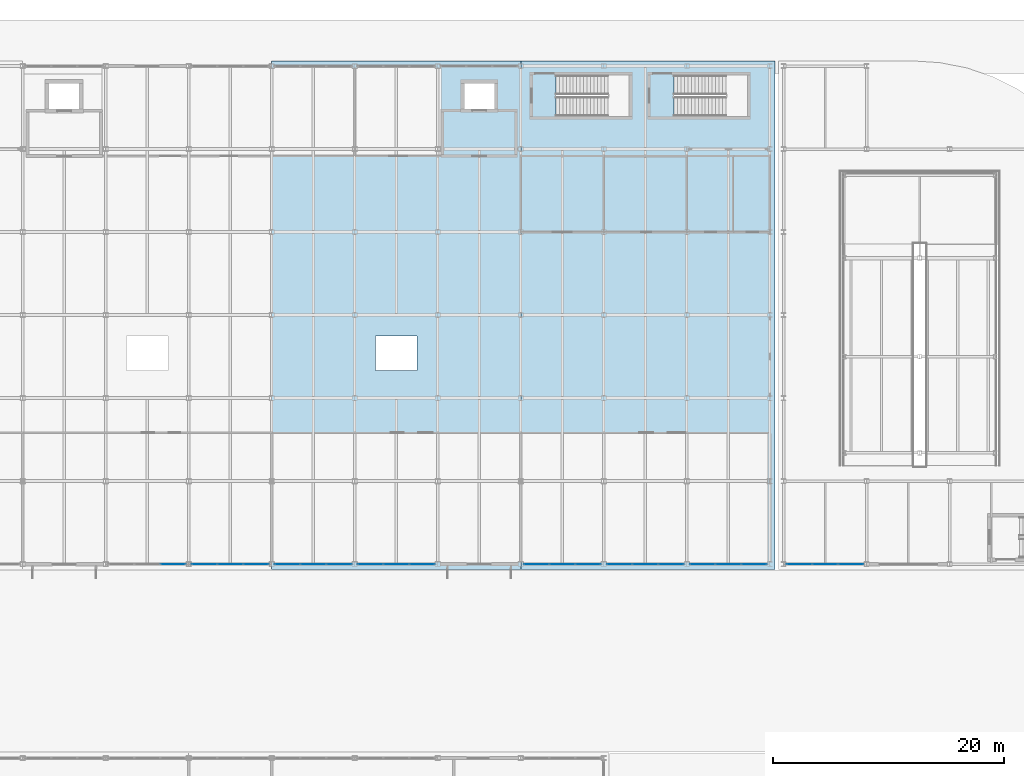
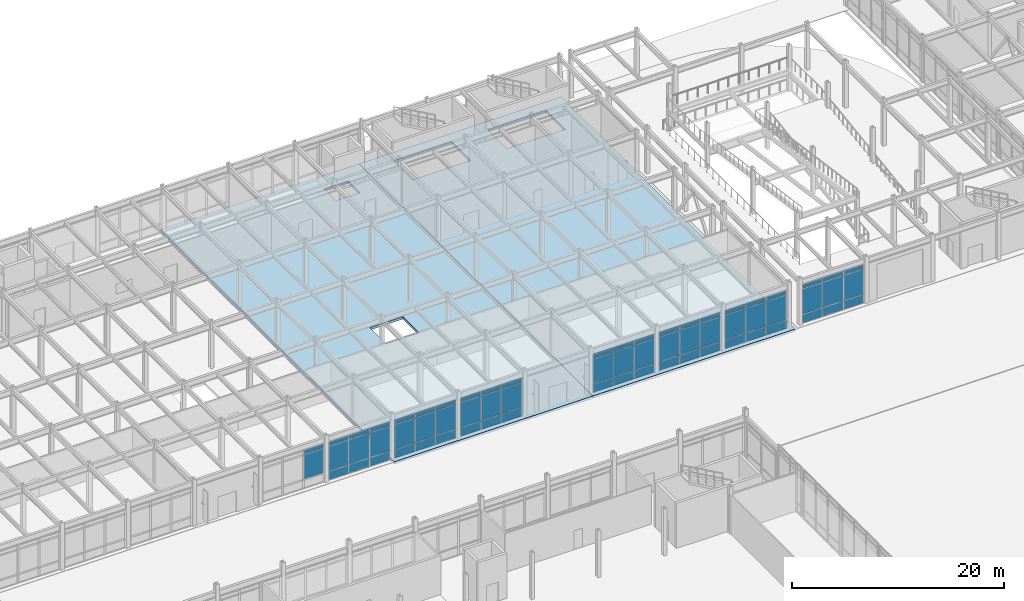
# One storey, part 62 of 104: 65 plates, 2 slabs, 8 elements without a shape of their own.
"""IFC4 building model written with IfcOpenShell, lengths in metres."""

import ifcopenshell
import ifcopenshell.guid

model = None  # the IFC model being written
_history = None  # IfcOwnerHistory: only IFC2X3 demands one
_inside = {}  # id of a spatial element -> (the spatial element, [elements in it])
_under = {}  # id of a project, library or spatial element -> (it, [spatial elements below it])
_declared = {}  # id of a project -> (the project, [libraries it declares])
_typed = {}  # id of a type object -> (the type object, [elements of that type])
_made_of = {}  # id of a material, layer set ... -> (it, [elements and type objects made of it])


def new_model(schema):
    """Start an empty IFC model of exactly this schema.

    Asked for "IFC4X3", IfcOpenShell would pick the latest addendum, in which some entities
    have other attributes; the version numbers below select the first issue.
    IFC2X3 requires an IfcOwnerHistory on every rooted entity: one is made here for all.
    """
    global model, _history
    if schema == "IFC4X3":
        model = ifcopenshell.file(schema_version=(4, 3, 0, 0))
    else:
        model = ifcopenshell.file(schema=schema)
    _inside.clear()
    _under.clear()
    _declared.clear()
    _typed.clear()
    _made_of.clear()
    _history = None
    if model.schema == "IFC2X3":
        org = make("IfcOrganization", Name="unknown")
        user = make(
            "IfcPersonAndOrganization",
            ThePerson=make("IfcPerson", FamilyName="unknown"),
            TheOrganization=org,
        )
        app = make(
            "IfcApplication",
            ApplicationDeveloper=org,
            Version="unknown",
            ApplicationFullName="unknown",
            ApplicationIdentifier="unknown",
        )
        _history = make(
            "IfcOwnerHistory",
            OwningUser=user,
            OwningApplication=app,
            ChangeAction="ADDED",
            CreationDate=0,
        )
    return model


def make(cls, **values):
    """One entity of the class cls with the attributes given. An attribute that is None is left unset."""
    return model.create_entity(
        cls, **{name: value for name, value in values.items() if value is not None}
    )


def rooted(cls, **values):
    """An entity with a GlobalId (a new one), such as an element, a storey or a relation."""
    return make(cls, GlobalId=ifcopenshell.guid.new(), OwnerHistory=_history, **values)


def si_unit(unit_type, name, prefix=None):
    """IfcSIUnit, for example si_unit("LENGTHUNIT", "METRE", prefix="MILLI")."""
    return make("IfcSIUnit", UnitType=unit_type, Prefix=prefix, Name=name)


def assignment(units):
    """IfcUnitAssignment: the units of a project."""
    return None if units is None else make("IfcUnitAssignment", Units=units)


def point(xyz):
    """IfcCartesianPoint."""
    return None if xyz is None else make("IfcCartesianPoint", Coordinates=xyz)


def direction(xyz):
    """IfcDirection."""
    return None if xyz is None else make("IfcDirection", DirectionRatios=xyz)


def frame(location, z_axis=None, x_axis=None):
    """IfcAxis2Placement3D, a coordinate frame: its origin and axes. An axis left out is left unset."""
    return make(
        "IfcAxis2Placement3D",
        Location=point(location),
        Axis=direction(z_axis),
        RefDirection=direction(x_axis),
    )


def frame_2d(location, x_axis=None):
    """IfcAxis2Placement2D, a coordinate frame in the plane: its origin and x axis."""
    return make(
        "IfcAxis2Placement2D", Location=point(location), RefDirection=direction(x_axis)
    )


def origin():
    """The frame at (0, 0, 0) with its axes left unset."""
    return frame((0.0, 0.0, 0.0))


def origin_2d():
    """The frame at (0, 0) in the plane with its x axis left unset."""
    return frame_2d((0.0, 0.0))


def place(relative_to, where):
    """IfcLocalPlacement: puts the frame where relative to a parent placement (None: the world)."""
    return make(
        "IfcLocalPlacement", PlacementRelTo=relative_to, RelativePlacement=where
    )


def context(
    kind, dimensions, precision=None, world=None, true_north=None, identifier=None
):
    """IfcGeometricRepresentationContext, for example the 3D "Model" context."""
    return make(
        "IfcGeometricRepresentationContext",
        ContextIdentifier=identifier,
        ContextType=kind,
        CoordinateSpaceDimension=dimensions,
        Precision=precision,
        WorldCoordinateSystem=world,
        TrueNorth=true_north,
    )


def subcontext(parent, identifier, kind, view, scale=None):
    """IfcGeometricRepresentationSubContext, for example "Body" below "Model"."""
    return make(
        "IfcGeometricRepresentationSubContext",
        ContextIdentifier=identifier,
        ContextType=kind,
        ParentContext=parent,
        TargetScale=scale,
        TargetView=view,
    )


def project(units=None, contexts=None):
    """IfcProject with its units and contexts."""
    return rooted(
        "IfcProject",
        Name="project",
        RepresentationContexts=contexts,
        UnitsInContext=assignment(units),
    )


def spatial(cls, under=None, at=None, **own):
    """A site, building, storey or space (cls), placed at a placement, below another one or the project."""
    s = rooted(cls, ObjectPlacement=at, **own)
    if under is not None:
        _under.setdefault(under.id(), (under, []))[1].append(s)
    return s


def polyline(points):
    """IfcPolyline through the points."""
    return make("IfcPolyline", Points=[point(p) for p in points])


def profile(cls, at=None, kind="AREA", **sizes):
    """A parametric profile (cls). Its sizes go by their IFC names, for example OverallWidth=200.0."""
    return make(cls, ProfileType=kind, Position=at, **sizes)


def rectangle(**sizes):
    """IfcRectangleProfileDef."""
    return profile("IfcRectangleProfileDef", **sizes)


def outline(outer, holes=None, kind="AREA"):
    """IfcArbitraryClosedProfileDef: a profile drawn as a closed curve; with holes, ...WithVoids."""
    if holes is None:
        return make("IfcArbitraryClosedProfileDef", ProfileType=kind, OuterCurve=outer)
    return make(
        "IfcArbitraryProfileDefWithVoids",
        ProfileType=kind,
        OuterCurve=outer,
        InnerCurves=holes,
    )


def extrude(swept, where, along, depth):
    """IfcExtrudedAreaSolid: the profile swept, set in the frame where, extruded along a direction by depth."""
    return make(
        "IfcExtrudedAreaSolid",
        SweptArea=swept,
        Position=where,
        ExtrudedDirection=direction(along),
        Depth=depth,
    )


def shape(context_of_items, identifier, shape_type, items):
    """IfcShapeRepresentation: the items that make up one representation, for example the "Body"."""
    return make(
        "IfcShapeRepresentation",
        ContextOfItems=context_of_items,
        RepresentationIdentifier=identifier,
        RepresentationType=shape_type,
        Items=items,
    )


def material(Name=None, Category=None):
    """IfcMaterial."""
    return make("IfcMaterial", Name=Name, Category=Category)


def layer(
    of_material, thickness, ventilated=None, Name=None, Category=None, Priority=None
):
    """IfcMaterialLayer: one layer of a wall or slab, of a material (None: an air gap)."""
    return make(
        "IfcMaterialLayer",
        Material=of_material,
        LayerThickness=thickness,
        IsVentilated=ventilated,
        Name=Name,
        Category=Category,
        Priority=Priority,
    )


def layer_set(layers, Name=None):
    """IfcMaterialLayerSet."""
    return make("IfcMaterialLayerSet", MaterialLayers=layers, LayerSetName=Name)


def made_of(thing, what):
    """Note that an element or type object is made of a material, layer set ...; save() writes the relation."""
    if what is not None:
        _made_of.setdefault(what.id(), (what, []))[1].append(thing)
    return thing


def type_object(cls, material=None, **own):
    """A type object (cls), such as IfcWallType, which elements share."""
    return made_of(rooted(cls, **own), material)


def element(
    cls,
    number,
    at=None,
    inside=None,
    cuts=None,
    type_object=None,
    material=None,
    context=None,
    identifier="Body",
    shape_type=None,
    held_by="IfcProductDefinitionShape",
    body=None,
    shapes=None,
    **own,
):
    """One element of the class cls, such as IfcWall. Its Tag is "e" and its number.

    at: its placement. inside: the storey or other place that contains it. cuts: it is an
    opening in that element (IfcRelVoidsElement). A single representation is given by context,
    identifier, shape_type and body (its items); several are given by shapes. held_by: the class
    of the entity that holds the representations. save() writes the other relations.
    """
    e = rooted(cls, Tag="e%d" % number, ObjectPlacement=at, **own)
    if body is not None:
        shapes = [shape(context, identifier, shape_type, body)]
    if shapes is not None:
        e.Representation = make(held_by, Representations=shapes)
    if inside is not None:
        _inside.setdefault(inside.id(), (inside, []))[1].append(e)
    if cuts is not None:
        rooted(
            "IfcRelVoidsElement", RelatingBuildingElement=cuts, RelatedOpeningElement=e
        )
    if type_object is not None:
        _typed.setdefault(type_object.id(), (type_object, []))[1].append(e)
    return made_of(e, material)


def aggregate(whole, parts):
    """IfcRelAggregates: a whole, such as a stair, and the parts it consists of."""
    return rooted("IfcRelAggregates", RelatingObject=whole, RelatedObjects=parts)


def save(model, path):
    """Write the relations noted so far, then the file.

    IfcRelAggregates (storeys below a building ...), IfcRelContainedInSpatialStructure (elements
    in a storey), IfcRelDefinesByType, IfcRelAssociatesMaterial and IfcRelDeclares: one each for
    every whole, place, type object, material and project.
    """
    for whole, parts in _under.values():
        aggregate(whole, parts)
    for where, things in _inside.values():
        rooted(
            "IfcRelContainedInSpatialStructure",
            RelatedElements=things,
            RelatingStructure=where,
        )
    for kind, things in _typed.values():
        rooted("IfcRelDefinesByType", RelatedObjects=things, RelatingType=kind)
    for what, things in _made_of.values():
        rooted("IfcRelAssociatesMaterial", RelatedObjects=things, RelatingMaterial=what)
    for by, libraries in _declared.values():
        rooted("IfcRelDeclares", RelatingContext=by, RelatedDefinitions=libraries)
    model.write(path)


model = new_model("IFC4")

# Units and contexts
model_context = context("Model", 3, precision=1e-05, world=origin(), true_north=direction((0.0, 1.0)))
body_context = subcontext(model_context, "Body", "Model", "MODEL_VIEW")
ifc_project = project(units=[si_unit("LENGTHUNIT", "METRE"), si_unit("AREAUNIT", "SQUARE_METRE"), si_unit("VOLUMEUNIT", "CUBIC_METRE"), si_unit("PLANEANGLEUNIT", "RADIAN"), si_unit("MASSUNIT", "GRAM", prefix="KILO")], contexts=[model_context])

# Site, building, storey
site_placement = place(None, origin())
site = spatial("IfcSite", under=ifc_project, at=site_placement, CompositionType="ELEMENT")
building_placement = place(site_placement, origin())
building = spatial("IfcBuilding", under=site, at=building_placement, Name="Vaelcorin Mobility Hub", CompositionType="ELEMENT")
storey_placement = place(building_placement, origin())
storey = spatial("IfcBuildingStorey", under=building, at=storey_placement, Name="L00", CompositionType="ELEMENT", Elevation=0.0)

# Curtain wall, plates
ifc_material_1 = material(Name="Anodised aluminium 6063-T6", Category="aluminium")
curtain_wall_type = type_object("IfcCurtainWallType", Name="CW-MSC-A", PredefinedType="NOTDEFINED", material=ifc_material_1)
curtain_wall_1_placement = place(storey_placement, origin())
curtain_wall_1 = element("IfcCurtainWall", 1, at=curtain_wall_1_placement, inside=storey, type_object=curtain_wall_type, Name="L00 Curtain Wall CW-V4-L00-S-05", PredefinedType="NOTDEFINED")
ifc_material_2 = material(Name="Low-E solar-control insulated glazing", Category="glass")
ifc_layer_1 = layer(ifc_material_2, 0.031982421875)
ifc_layer_set_1 = layer_set([ifc_layer_1], Name="Low-E solar-control insulated glazing")
plate_type = type_object("IfcPlateType", Name="CW-PAN-GLZ32", PredefinedType="CURTAIN_PANEL", material=ifc_layer_set_1)
plate_1_placement = place(storey_placement, frame((70.638427734375, 76.800048828125, 1.080078125), z_axis=(0.0, 0.0, 1.0), x_axis=(-1.0, 0.0, 0.0)))
plate_1 = element("IfcPlate", 2, at=plate_1_placement, type_object=plate_type, Name="CW3 panel 1.2", PredefinedType="CURTAIN_PANEL", context=body_context, shape_type="SweptSolid", body=[
    extrude(rectangle(XDim=2.163330078125, YDim=0.028076171875, at=origin_2d()), origin(), (0.0, 0.0, 1.0), 2.802001953125),
])
plate_2_placement = place(storey_placement, frame((70.638427734375, 76.800048828125, 3.942138671875), z_axis=(0.0, 0.0, 1.0), x_axis=(-1.0, 0.0, 0.0)))
plate_2 = element("IfcPlate", 3, at=plate_2_placement, type_object=plate_type, Name="CW3 panel 1.3", PredefinedType="CURTAIN_PANEL", context=body_context, shape_type="SweptSolid", body=[
    extrude(rectangle(XDim=2.163330078125, YDim=0.028076171875, at=origin_2d()), origin(), (0.0, 0.0, 1.0), 0.4599609375),
])
aggregate(curtain_wall_1, [plate_1, plate_2])

curtain_wall_2_placement = place(storey_placement, origin())
curtain_wall_2 = element("IfcCurtainWall", 4, at=curtain_wall_2_placement, inside=storey, type_object=curtain_wall_type, Name="L00 Curtain Wall CW-V4-L00-S-06", PredefinedType="NOTDEFINED")
plate_3_placement = place(storey_placement, frame((77.83837890625, 76.800048828125, 0.06005859375), z_axis=(0.0, 0.0, 1.0), x_axis=(-1.0, 0.0, 0.0)))
plate_3 = element("IfcPlate", 5, at=plate_3_placement, type_object=plate_type, Name="CW3 panel 1.1", PredefinedType="CURTAIN_PANEL", context=body_context, shape_type="SweptSolid", body=[
    extrude(rectangle(XDim=2.163330078125, YDim=0.028076171875, at=origin_2d()), origin(), (0.0, 0.0, 1.0), 0.9599609375),
])
plate_4_placement = place(storey_placement, frame((77.83837890625, 76.800048828125, 1.080078125), z_axis=(0.0, 0.0, 1.0), x_axis=(-1.0, 0.0, 0.0)))
plate_4 = element("IfcPlate", 6, at=plate_4_placement, type_object=plate_type, Name="CW3 panel 1.2", PredefinedType="CURTAIN_PANEL", context=body_context, shape_type="SweptSolid", body=[
    extrude(rectangle(XDim=2.163330078125, YDim=0.028076171875, at=origin_2d()), origin(), (0.0, 0.0, 1.0), 2.802001953125),
])
plate_5_placement = place(storey_placement, frame((77.83837890625, 76.800048828125, 3.942138671875), z_axis=(0.0, 0.0, 1.0), x_axis=(-1.0, 0.0, 0.0)))
plate_5 = element("IfcPlate", 7, at=plate_5_placement, type_object=plate_type, Name="CW3 panel 1.3", PredefinedType="CURTAIN_PANEL", context=body_context, shape_type="SweptSolid", body=[
    extrude(rectangle(XDim=2.163330078125, YDim=0.028076171875, at=origin_2d()), origin(), (0.0, 0.0, 1.0), 0.4599609375),
])
plate_6_placement = place(storey_placement, frame((75.60009765625, 76.800048828125, 0.06005859375), z_axis=(0.0, 0.0, 1.0), x_axis=(-1.0, 0.0, 0.0)))
plate_6 = element("IfcPlate", 8, at=plate_6_placement, type_object=plate_type, Name="CW3 panel 2.1", PredefinedType="CURTAIN_PANEL", context=body_context, shape_type="SweptSolid", body=[
    extrude(rectangle(XDim=2.193359375, YDim=0.028076171875, at=origin_2d()), origin(), (0.0, 0.0, 1.0), 0.9599609375),
])
plate_7_placement = place(storey_placement, frame((75.60009765625, 76.800048828125, 1.080078125), z_axis=(0.0, 0.0, 1.0), x_axis=(-1.0, 0.0, 0.0)))
plate_7 = element("IfcPlate", 9, at=plate_7_placement, type_object=plate_type, Name="CW3 panel 2.2", PredefinedType="CURTAIN_PANEL", context=body_context, shape_type="SweptSolid", body=[
    extrude(rectangle(XDim=2.193359375, YDim=0.028076171875, at=origin_2d()), origin(), (0.0, 0.0, 1.0), 2.802001953125),
])
plate_8_placement = place(storey_placement, frame((75.60009765625, 76.800048828125, 3.942138671875), z_axis=(0.0, 0.0, 1.0), x_axis=(-1.0, 0.0, 0.0)))
plate_8 = element("IfcPlate", 10, at=plate_8_placement, type_object=plate_type, Name="CW3 panel 2.3", PredefinedType="CURTAIN_PANEL", context=body_context, shape_type="SweptSolid", body=[
    extrude(rectangle(XDim=2.193359375, YDim=0.028076171875, at=origin_2d()), origin(), (0.0, 0.0, 1.0), 0.4599609375),
])
plate_9_placement = place(storey_placement, frame((73.361572265625, 76.800048828125, 0.06005859375), z_axis=(0.0, 0.0, 1.0), x_axis=(-1.0, 0.0, 0.0)))
plate_9 = element("IfcPlate", 11, at=plate_9_placement, type_object=plate_type, Name="CW3 panel 3.1", PredefinedType="CURTAIN_PANEL", context=body_context, shape_type="SweptSolid", body=[
    extrude(rectangle(XDim=2.163330078125, YDim=0.028076171875, at=origin_2d()), origin(), (0.0, 0.0, 1.0), 0.9599609375),
])
plate_10_placement = place(storey_placement, frame((73.361572265625, 76.800048828125, 1.080078125), z_axis=(0.0, 0.0, 1.0), x_axis=(-1.0, 0.0, 0.0)))
plate_10 = element("IfcPlate", 12, at=plate_10_placement, type_object=plate_type, Name="CW3 panel 3.2", PredefinedType="CURTAIN_PANEL", context=body_context, shape_type="SweptSolid", body=[
    extrude(rectangle(XDim=2.163330078125, YDim=0.028076171875, at=origin_2d()), origin(), (0.0, 0.0, 1.0), 2.802001953125),
])
plate_11_placement = place(storey_placement, frame((73.361572265625, 76.800048828125, 3.942138671875), z_axis=(0.0, 0.0, 1.0), x_axis=(-1.0, 0.0, 0.0)))
plate_11 = element("IfcPlate", 13, at=plate_11_placement, type_object=plate_type, Name="CW3 panel 3.3", PredefinedType="CURTAIN_PANEL", context=body_context, shape_type="SweptSolid", body=[
    extrude(rectangle(XDim=2.163330078125, YDim=0.028076171875, at=origin_2d()), origin(), (0.0, 0.0, 1.0), 0.4599609375),
])
aggregate(curtain_wall_2, [plate_3, plate_4, plate_5, plate_6, plate_7, plate_8, plate_9, plate_10, plate_11])

curtain_wall_3_placement = place(storey_placement, origin())
curtain_wall_3 = element("IfcCurtainWall", 14, at=curtain_wall_3_placement, inside=storey, type_object=curtain_wall_type, Name="L00 Curtain Wall CW-V4-L00-S-07", PredefinedType="NOTDEFINED")
plate_12_placement = place(storey_placement, frame((85.038330078125, 76.800048828125, 0.06005859375), z_axis=(0.0, 0.0, 1.0), x_axis=(-1.0, 0.0, 0.0)))
plate_12 = element("IfcPlate", 15, at=plate_12_placement, type_object=plate_type, Name="CW3 panel 1.1", PredefinedType="CURTAIN_PANEL", context=body_context, shape_type="SweptSolid", body=[
    extrude(rectangle(XDim=2.163330078125, YDim=0.028076171875, at=origin_2d()), origin(), (0.0, 0.0, 1.0), 0.9599609375),
])
plate_13_placement = place(storey_placement, frame((85.038330078125, 76.800048828125, 1.080078125), z_axis=(0.0, 0.0, 1.0), x_axis=(-1.0, 0.0, 0.0)))
plate_13 = element("IfcPlate", 16, at=plate_13_placement, type_object=plate_type, Name="CW3 panel 1.2", PredefinedType="CURTAIN_PANEL", context=body_context, shape_type="SweptSolid", body=[
    extrude(rectangle(XDim=2.163330078125, YDim=0.028076171875, at=origin_2d()), origin(), (0.0, 0.0, 1.0), 2.802001953125),
])
plate_14_placement = place(storey_placement, frame((85.038330078125, 76.800048828125, 3.942138671875), z_axis=(0.0, 0.0, 1.0), x_axis=(-1.0, 0.0, 0.0)))
plate_14 = element("IfcPlate", 17, at=plate_14_placement, type_object=plate_type, Name="CW3 panel 1.3", PredefinedType="CURTAIN_PANEL", context=body_context, shape_type="SweptSolid", body=[
    extrude(rectangle(XDim=2.163330078125, YDim=0.028076171875, at=origin_2d()), origin(), (0.0, 0.0, 1.0), 0.4599609375),
])
plate_15_placement = place(storey_placement, frame((82.800048828125, 76.800048828125, 0.06005859375), z_axis=(0.0, 0.0, 1.0), x_axis=(-1.0, 0.0, 0.0)))
plate_15 = element("IfcPlate", 18, at=plate_15_placement, type_object=plate_type, Name="CW3 panel 2.1", PredefinedType="CURTAIN_PANEL", context=body_context, shape_type="SweptSolid", body=[
    extrude(rectangle(XDim=2.193359375, YDim=0.028076171875, at=origin_2d()), origin(), (0.0, 0.0, 1.0), 0.9599609375),
])
plate_16_placement = place(storey_placement, frame((82.800048828125, 76.800048828125, 1.080078125), z_axis=(0.0, 0.0, 1.0), x_axis=(-1.0, 0.0, 0.0)))
plate_16 = element("IfcPlate", 19, at=plate_16_placement, type_object=plate_type, Name="CW3 panel 2.2", PredefinedType="CURTAIN_PANEL", context=body_context, shape_type="SweptSolid", body=[
    extrude(rectangle(XDim=2.193359375, YDim=0.028076171875, at=origin_2d()), origin(), (0.0, 0.0, 1.0), 2.802001953125),
])
plate_17_placement = place(storey_placement, frame((82.800048828125, 76.800048828125, 3.942138671875), z_axis=(0.0, 0.0, 1.0), x_axis=(-1.0, 0.0, 0.0)))
plate_17 = element("IfcPlate", 20, at=plate_17_placement, type_object=plate_type, Name="CW3 panel 2.3", PredefinedType="CURTAIN_PANEL", context=body_context, shape_type="SweptSolid", body=[
    extrude(rectangle(XDim=2.193359375, YDim=0.028076171875, at=origin_2d()), origin(), (0.0, 0.0, 1.0), 0.4599609375),
])
plate_18_placement = place(storey_placement, frame((80.561767578125, 76.800048828125, 0.06005859375), z_axis=(0.0, 0.0, 1.0), x_axis=(-1.0, 0.0, 0.0)))
plate_18 = element("IfcPlate", 21, at=plate_18_placement, type_object=plate_type, Name="CW3 panel 3.1", PredefinedType="CURTAIN_PANEL", context=body_context, shape_type="SweptSolid", body=[
    extrude(rectangle(XDim=2.163330078125, YDim=0.028076171875, at=origin_2d()), origin(), (0.0, 0.0, 1.0), 0.9599609375),
])
plate_19_placement = place(storey_placement, frame((80.561767578125, 76.800048828125, 1.080078125), z_axis=(0.0, 0.0, 1.0), x_axis=(-1.0, 0.0, 0.0)))
plate_19 = element("IfcPlate", 22, at=plate_19_placement, type_object=plate_type, Name="CW3 panel 3.2", PredefinedType="CURTAIN_PANEL", context=body_context, shape_type="SweptSolid", body=[
    extrude(rectangle(XDim=2.163330078125, YDim=0.028076171875, at=origin_2d()), origin(), (0.0, 0.0, 1.0), 2.802001953125),
])
plate_20_placement = place(storey_placement, frame((80.561767578125, 76.800048828125, 3.942138671875), z_axis=(0.0, 0.0, 1.0), x_axis=(-1.0, 0.0, 0.0)))
plate_20 = element("IfcPlate", 23, at=plate_20_placement, type_object=plate_type, Name="CW3 panel 3.3", PredefinedType="CURTAIN_PANEL", context=body_context, shape_type="SweptSolid", body=[
    extrude(rectangle(XDim=2.163330078125, YDim=0.028076171875, at=origin_2d()), origin(), (0.0, 0.0, 1.0), 0.4599609375),
])
aggregate(curtain_wall_3, [plate_12, plate_13, plate_14, plate_15, plate_16, plate_17, plate_18, plate_19, plate_20])

curtain_wall_4_placement = place(storey_placement, origin())
curtain_wall_4 = element("IfcCurtainWall", 24, at=curtain_wall_4_placement, inside=storey, type_object=curtain_wall_type, Name="L00 Curtain Wall CW-V4-L00-S-08", PredefinedType="NOTDEFINED")
plate_21_placement = place(storey_placement, frame((92.23828125, 76.800048828125, 0.06005859375), z_axis=(0.0, 0.0, 1.0), x_axis=(-1.0, 0.0, 0.0)))
plate_21 = element("IfcPlate", 25, at=plate_21_placement, type_object=plate_type, Name="CW3 panel 1.1", PredefinedType="CURTAIN_PANEL", context=body_context, shape_type="SweptSolid", body=[
    extrude(rectangle(XDim=2.163330078125, YDim=0.028076171875, at=origin_2d()), origin(), (0.0, 0.0, 1.0), 0.9599609375),
])
plate_22_placement = place(storey_placement, frame((92.23828125, 76.800048828125, 1.080078125), z_axis=(0.0, 0.0, 1.0), x_axis=(-1.0, 0.0, 0.0)))
plate_22 = element("IfcPlate", 26, at=plate_22_placement, type_object=plate_type, Name="CW3 panel 1.2", PredefinedType="CURTAIN_PANEL", context=body_context, shape_type="SweptSolid", body=[
    extrude(rectangle(XDim=2.163330078125, YDim=0.028076171875, at=origin_2d()), origin(), (0.0, 0.0, 1.0), 2.802001953125),
])
plate_23_placement = place(storey_placement, frame((92.23828125, 76.800048828125, 3.942138671875), z_axis=(0.0, 0.0, 1.0), x_axis=(-1.0, 0.0, 0.0)))
plate_23 = element("IfcPlate", 27, at=plate_23_placement, type_object=plate_type, Name="CW3 panel 1.3", PredefinedType="CURTAIN_PANEL", context=body_context, shape_type="SweptSolid", body=[
    extrude(rectangle(XDim=2.163330078125, YDim=0.028076171875, at=origin_2d()), origin(), (0.0, 0.0, 1.0), 0.4599609375),
])
plate_24_placement = place(storey_placement, frame((90.0, 76.800048828125, 0.06005859375), z_axis=(0.0, 0.0, 1.0), x_axis=(-1.0, 0.0, 0.0)))
plate_24 = element("IfcPlate", 28, at=plate_24_placement, type_object=plate_type, Name="CW3 panel 2.1", PredefinedType="CURTAIN_PANEL", context=body_context, shape_type="SweptSolid", body=[
    extrude(rectangle(XDim=2.193359375, YDim=0.028076171875, at=origin_2d()), origin(), (0.0, 0.0, 1.0), 0.9599609375),
])
plate_25_placement = place(storey_placement, frame((90.0, 76.800048828125, 1.080078125), z_axis=(0.0, 0.0, 1.0), x_axis=(-1.0, 0.0, 0.0)))
plate_25 = element("IfcPlate", 29, at=plate_25_placement, type_object=plate_type, Name="CW3 panel 2.2", PredefinedType="CURTAIN_PANEL", context=body_context, shape_type="SweptSolid", body=[
    extrude(rectangle(XDim=2.193359375, YDim=0.028076171875, at=origin_2d()), origin(), (0.0, 0.0, 1.0), 2.802001953125),
])
plate_26_placement = place(storey_placement, frame((90.0, 76.800048828125, 3.942138671875), z_axis=(0.0, 0.0, 1.0), x_axis=(-1.0, 0.0, 0.0)))
plate_26 = element("IfcPlate", 30, at=plate_26_placement, type_object=plate_type, Name="CW3 panel 2.3", PredefinedType="CURTAIN_PANEL", context=body_context, shape_type="SweptSolid", body=[
    extrude(rectangle(XDim=2.193359375, YDim=0.028076171875, at=origin_2d()), origin(), (0.0, 0.0, 1.0), 0.4599609375),
])
plate_27_placement = place(storey_placement, frame((87.76171875, 76.800048828125, 0.06005859375), z_axis=(0.0, 0.0, 1.0), x_axis=(-1.0, 0.0, 0.0)))
plate_27 = element("IfcPlate", 31, at=plate_27_placement, type_object=plate_type, Name="CW3 panel 3.1", PredefinedType="CURTAIN_PANEL", context=body_context, shape_type="SweptSolid", body=[
    extrude(rectangle(XDim=2.163330078125, YDim=0.028076171875, at=origin_2d()), origin(), (0.0, 0.0, 1.0), 0.9599609375),
])
plate_28_placement = place(storey_placement, frame((87.76171875, 76.800048828125, 1.080078125), z_axis=(0.0, 0.0, 1.0), x_axis=(-1.0, 0.0, 0.0)))
plate_28 = element("IfcPlate", 32, at=plate_28_placement, type_object=plate_type, Name="CW3 panel 3.2", PredefinedType="CURTAIN_PANEL", context=body_context, shape_type="SweptSolid", body=[
    extrude(rectangle(XDim=2.163330078125, YDim=0.028076171875, at=origin_2d()), origin(), (0.0, 0.0, 1.0), 2.802001953125),
])
plate_29_placement = place(storey_placement, frame((87.76171875, 76.800048828125, 3.942138671875), z_axis=(0.0, 0.0, 1.0), x_axis=(-1.0, 0.0, 0.0)))
plate_29 = element("IfcPlate", 33, at=plate_29_placement, type_object=plate_type, Name="CW3 panel 3.3", PredefinedType="CURTAIN_PANEL", context=body_context, shape_type="SweptSolid", body=[
    extrude(rectangle(XDim=2.163330078125, YDim=0.028076171875, at=origin_2d()), origin(), (0.0, 0.0, 1.0), 0.4599609375),
])
aggregate(curtain_wall_4, [plate_21, plate_22, plate_23, plate_24, plate_25, plate_26, plate_27, plate_28, plate_29])

curtain_wall_5_placement = place(storey_placement, origin())
curtain_wall_5 = element("IfcCurtainWall", 34, at=curtain_wall_5_placement, inside=storey, type_object=curtain_wall_type, Name="L00 Curtain Wall CW-V4-L00-S-10", PredefinedType="NOTDEFINED")
plate_30_placement = place(storey_placement, frame((106.638427734375, 76.800048828125, 0.06005859375), z_axis=(0.0, 0.0, 1.0), x_axis=(-1.0, 0.0, 0.0)))
plate_30 = element("IfcPlate", 35, at=plate_30_placement, type_object=plate_type, Name="CW3 panel 1.1", PredefinedType="CURTAIN_PANEL", context=body_context, shape_type="SweptSolid", body=[
    extrude(rectangle(XDim=2.163330078125, YDim=0.028076171875, at=origin_2d()), origin(), (0.0, 0.0, 1.0), 0.9599609375),
])
plate_31_placement = place(storey_placement, frame((106.638427734375, 76.800048828125, 1.080078125), z_axis=(0.0, 0.0, 1.0), x_axis=(-1.0, 0.0, 0.0)))
plate_31 = element("IfcPlate", 36, at=plate_31_placement, type_object=plate_type, Name="CW3 panel 1.2", PredefinedType="CURTAIN_PANEL", context=body_context, shape_type="SweptSolid", body=[
    extrude(rectangle(XDim=2.163330078125, YDim=0.028076171875, at=origin_2d()), origin(), (0.0, 0.0, 1.0), 2.802001953125),
])
plate_32_placement = place(storey_placement, frame((106.638427734375, 76.800048828125, 3.942138671875), z_axis=(0.0, 0.0, 1.0), x_axis=(-1.0, 0.0, 0.0)))
plate_32 = element("IfcPlate", 37, at=plate_32_placement, type_object=plate_type, Name="CW3 panel 1.3", PredefinedType="CURTAIN_PANEL", context=body_context, shape_type="SweptSolid", body=[
    extrude(rectangle(XDim=2.163330078125, YDim=0.028076171875, at=origin_2d()), origin(), (0.0, 0.0, 1.0), 0.4599609375),
])
plate_33_placement = place(storey_placement, frame((104.39990234375, 76.800048828125, 0.06005859375), z_axis=(0.0, 0.0, 1.0), x_axis=(-1.0, 0.0, 0.0)))
plate_33 = element("IfcPlate", 38, at=plate_33_placement, type_object=plate_type, Name="CW3 panel 2.1", PredefinedType="CURTAIN_PANEL", context=body_context, shape_type="SweptSolid", body=[
    extrude(rectangle(XDim=2.193359375, YDim=0.028076171875, at=origin_2d()), origin(), (0.0, 0.0, 1.0), 0.9599609375),
])
plate_34_placement = place(storey_placement, frame((104.39990234375, 76.800048828125, 1.080078125), z_axis=(0.0, 0.0, 1.0), x_axis=(-1.0, 0.0, 0.0)))
plate_34 = element("IfcPlate", 39, at=plate_34_placement, type_object=plate_type, Name="CW3 panel 2.2", PredefinedType="CURTAIN_PANEL", context=body_context, shape_type="SweptSolid", body=[
    extrude(rectangle(XDim=2.193359375, YDim=0.028076171875, at=origin_2d()), origin(), (0.0, 0.0, 1.0), 2.802001953125),
])
plate_35_placement = place(storey_placement, frame((104.39990234375, 76.800048828125, 3.942138671875), z_axis=(0.0, 0.0, 1.0), x_axis=(-1.0, 0.0, 0.0)))
plate_35 = element("IfcPlate", 40, at=plate_35_placement, type_object=plate_type, Name="CW3 panel 2.3", PredefinedType="CURTAIN_PANEL", context=body_context, shape_type="SweptSolid", body=[
    extrude(rectangle(XDim=2.193359375, YDim=0.028076171875, at=origin_2d()), origin(), (0.0, 0.0, 1.0), 0.4599609375),
])
plate_36_placement = place(storey_placement, frame((102.16162109375, 76.800048828125, 0.06005859375), z_axis=(0.0, 0.0, 1.0), x_axis=(-1.0, 0.0, 0.0)))
plate_36 = element("IfcPlate", 41, at=plate_36_placement, type_object=plate_type, Name="CW3 panel 3.1", PredefinedType="CURTAIN_PANEL", context=body_context, shape_type="SweptSolid", body=[
    extrude(rectangle(XDim=2.163330078125, YDim=0.028076171875, at=origin_2d()), origin(), (0.0, 0.0, 1.0), 0.9599609375),
])
plate_37_placement = place(storey_placement, frame((102.16162109375, 76.800048828125, 1.080078125), z_axis=(0.0, 0.0, 1.0), x_axis=(-1.0, 0.0, 0.0)))
plate_37 = element("IfcPlate", 42, at=plate_37_placement, type_object=plate_type, Name="CW3 panel 3.2", PredefinedType="CURTAIN_PANEL", context=body_context, shape_type="SweptSolid", body=[
    extrude(rectangle(XDim=2.163330078125, YDim=0.028076171875, at=origin_2d()), origin(), (0.0, 0.0, 1.0), 2.802001953125),
])
plate_38_placement = place(storey_placement, frame((102.16162109375, 76.800048828125, 3.942138671875), z_axis=(0.0, 0.0, 1.0), x_axis=(-1.0, 0.0, 0.0)))
plate_38 = element("IfcPlate", 43, at=plate_38_placement, type_object=plate_type, Name="CW3 panel 3.3", PredefinedType="CURTAIN_PANEL", context=body_context, shape_type="SweptSolid", body=[
    extrude(rectangle(XDim=2.163330078125, YDim=0.028076171875, at=origin_2d()), origin(), (0.0, 0.0, 1.0), 0.4599609375),
])
aggregate(curtain_wall_5, [plate_30, plate_31, plate_32, plate_33, plate_34, plate_35, plate_36, plate_37, plate_38])

curtain_wall_6_placement = place(storey_placement, origin())
curtain_wall_6 = element("IfcCurtainWall", 44, at=curtain_wall_6_placement, inside=storey, type_object=curtain_wall_type, Name="L00 Curtain Wall CW-V4-L00-S-11", PredefinedType="NOTDEFINED")
plate_39_placement = place(storey_placement, frame((113.83837890625, 76.800048828125, 0.06005859375), z_axis=(0.0, 0.0, 1.0), x_axis=(-1.0, 0.0, 0.0)))
plate_39 = element("IfcPlate", 45, at=plate_39_placement, type_object=plate_type, Name="CW3 panel 1.1", PredefinedType="CURTAIN_PANEL", context=body_context, shape_type="SweptSolid", body=[
    extrude(rectangle(XDim=2.163330078125, YDim=0.028076171875, at=origin_2d()), origin(), (0.0, 0.0, 1.0), 0.9599609375),
])
plate_40_placement = place(storey_placement, frame((113.83837890625, 76.800048828125, 1.080078125), z_axis=(0.0, 0.0, 1.0), x_axis=(-1.0, 0.0, 0.0)))
plate_40 = element("IfcPlate", 46, at=plate_40_placement, type_object=plate_type, Name="CW3 panel 1.2", PredefinedType="CURTAIN_PANEL", context=body_context, shape_type="SweptSolid", body=[
    extrude(rectangle(XDim=2.163330078125, YDim=0.028076171875, at=origin_2d()), origin(), (0.0, 0.0, 1.0), 2.802001953125),
])
plate_41_placement = place(storey_placement, frame((113.83837890625, 76.800048828125, 3.942138671875), z_axis=(0.0, 0.0, 1.0), x_axis=(-1.0, 0.0, 0.0)))
plate_41 = element("IfcPlate", 47, at=plate_41_placement, type_object=plate_type, Name="CW3 panel 1.3", PredefinedType="CURTAIN_PANEL", context=body_context, shape_type="SweptSolid", body=[
    extrude(rectangle(XDim=2.163330078125, YDim=0.028076171875, at=origin_2d()), origin(), (0.0, 0.0, 1.0), 0.4599609375),
])
plate_42_placement = place(storey_placement, frame((111.60009765625, 76.800048828125, 0.06005859375), z_axis=(0.0, 0.0, 1.0), x_axis=(-1.0, 0.0, 0.0)))
plate_42 = element("IfcPlate", 48, at=plate_42_placement, type_object=plate_type, Name="CW3 panel 2.1", PredefinedType="CURTAIN_PANEL", context=body_context, shape_type="SweptSolid", body=[
    extrude(rectangle(XDim=2.193359375, YDim=0.028076171875, at=origin_2d()), origin(), (0.0, 0.0, 1.0), 0.9599609375),
])
plate_43_placement = place(storey_placement, frame((111.60009765625, 76.800048828125, 1.080078125), z_axis=(0.0, 0.0, 1.0), x_axis=(-1.0, 0.0, 0.0)))
plate_43 = element("IfcPlate", 49, at=plate_43_placement, type_object=plate_type, Name="CW3 panel 2.2", PredefinedType="CURTAIN_PANEL", context=body_context, shape_type="SweptSolid", body=[
    extrude(rectangle(XDim=2.193359375, YDim=0.028076171875, at=origin_2d()), origin(), (0.0, 0.0, 1.0), 2.802001953125),
])
plate_44_placement = place(storey_placement, frame((111.60009765625, 76.800048828125, 3.942138671875), z_axis=(0.0, 0.0, 1.0), x_axis=(-1.0, 0.0, 0.0)))
plate_44 = element("IfcPlate", 50, at=plate_44_placement, type_object=plate_type, Name="CW3 panel 2.3", PredefinedType="CURTAIN_PANEL", context=body_context, shape_type="SweptSolid", body=[
    extrude(rectangle(XDim=2.193359375, YDim=0.028076171875, at=origin_2d()), origin(), (0.0, 0.0, 1.0), 0.4599609375),
])
plate_45_placement = place(storey_placement, frame((109.361572265625, 76.800048828125, 0.06005859375), z_axis=(0.0, 0.0, 1.0), x_axis=(-1.0, 0.0, 0.0)))
plate_45 = element("IfcPlate", 51, at=plate_45_placement, type_object=plate_type, Name="CW3 panel 3.1", PredefinedType="CURTAIN_PANEL", context=body_context, shape_type="SweptSolid", body=[
    extrude(rectangle(XDim=2.163330078125, YDim=0.028076171875, at=origin_2d()), origin(), (0.0, 0.0, 1.0), 0.9599609375),
])
plate_46_placement = place(storey_placement, frame((109.361572265625, 76.800048828125, 1.080078125), z_axis=(0.0, 0.0, 1.0), x_axis=(-1.0, 0.0, 0.0)))
plate_46 = element("IfcPlate", 52, at=plate_46_placement, type_object=plate_type, Name="CW3 panel 3.2", PredefinedType="CURTAIN_PANEL", context=body_context, shape_type="SweptSolid", body=[
    extrude(rectangle(XDim=2.163330078125, YDim=0.028076171875, at=origin_2d()), origin(), (0.0, 0.0, 1.0), 2.802001953125),
])
plate_47_placement = place(storey_placement, frame((109.361572265625, 76.800048828125, 3.942138671875), z_axis=(0.0, 0.0, 1.0), x_axis=(-1.0, 0.0, 0.0)))
plate_47 = element("IfcPlate", 53, at=plate_47_placement, type_object=plate_type, Name="CW3 panel 3.3", PredefinedType="CURTAIN_PANEL", context=body_context, shape_type="SweptSolid", body=[
    extrude(rectangle(XDim=2.163330078125, YDim=0.028076171875, at=origin_2d()), origin(), (0.0, 0.0, 1.0), 0.4599609375),
])
aggregate(curtain_wall_6, [plate_39, plate_40, plate_41, plate_42, plate_43, plate_44, plate_45, plate_46, plate_47])

curtain_wall_7_placement = place(storey_placement, origin())
curtain_wall_7 = element("IfcCurtainWall", 54, at=curtain_wall_7_placement, inside=storey, type_object=curtain_wall_type, Name="L00 Curtain Wall CW-V4-L00-S-12", PredefinedType="NOTDEFINED")
plate_48_placement = place(storey_placement, frame((121.038330078125, 76.800048828125, 0.06005859375), z_axis=(0.0, 0.0, 1.0), x_axis=(-1.0, 0.0, 0.0)))
plate_48 = element("IfcPlate", 55, at=plate_48_placement, type_object=plate_type, Name="CW3 panel 1.1", PredefinedType="CURTAIN_PANEL", context=body_context, shape_type="SweptSolid", body=[
    extrude(rectangle(XDim=2.163330078125, YDim=0.028076171875, at=origin_2d()), origin(), (0.0, 0.0, 1.0), 0.9599609375),
])
plate_49_placement = place(storey_placement, frame((121.038330078125, 76.800048828125, 1.080078125), z_axis=(0.0, 0.0, 1.0), x_axis=(-1.0, 0.0, 0.0)))
plate_49 = element("IfcPlate", 56, at=plate_49_placement, type_object=plate_type, Name="CW3 panel 1.2", PredefinedType="CURTAIN_PANEL", context=body_context, shape_type="SweptSolid", body=[
    extrude(rectangle(XDim=2.163330078125, YDim=0.028076171875, at=origin_2d()), origin(), (0.0, 0.0, 1.0), 2.802001953125),
])
plate_50_placement = place(storey_placement, frame((121.038330078125, 76.800048828125, 3.942138671875), z_axis=(0.0, 0.0, 1.0), x_axis=(-1.0, 0.0, 0.0)))
plate_50 = element("IfcPlate", 57, at=plate_50_placement, type_object=plate_type, Name="CW3 panel 1.3", PredefinedType="CURTAIN_PANEL", context=body_context, shape_type="SweptSolid", body=[
    extrude(rectangle(XDim=2.163330078125, YDim=0.028076171875, at=origin_2d()), origin(), (0.0, 0.0, 1.0), 0.4599609375),
])
plate_51_placement = place(storey_placement, frame((118.800048828125, 76.800048828125, 0.06005859375), z_axis=(0.0, 0.0, 1.0), x_axis=(-1.0, 0.0, 0.0)))
plate_51 = element("IfcPlate", 58, at=plate_51_placement, type_object=plate_type, Name="CW3 panel 2.1", PredefinedType="CURTAIN_PANEL", context=body_context, shape_type="SweptSolid", body=[
    extrude(rectangle(XDim=2.193359375, YDim=0.028076171875, at=origin_2d()), origin(), (0.0, 0.0, 1.0), 0.9599609375),
])
plate_52_placement = place(storey_placement, frame((118.800048828125, 76.800048828125, 1.080078125), z_axis=(0.0, 0.0, 1.0), x_axis=(-1.0, 0.0, 0.0)))
plate_52 = element("IfcPlate", 59, at=plate_52_placement, type_object=plate_type, Name="CW3 panel 2.2", PredefinedType="CURTAIN_PANEL", context=body_context, shape_type="SweptSolid", body=[
    extrude(rectangle(XDim=2.193359375, YDim=0.028076171875, at=origin_2d()), origin(), (0.0, 0.0, 1.0), 2.802001953125),
])
plate_53_placement = place(storey_placement, frame((118.800048828125, 76.800048828125, 3.942138671875), z_axis=(0.0, 0.0, 1.0), x_axis=(-1.0, 0.0, 0.0)))
plate_53 = element("IfcPlate", 60, at=plate_53_placement, type_object=plate_type, Name="CW3 panel 2.3", PredefinedType="CURTAIN_PANEL", context=body_context, shape_type="SweptSolid", body=[
    extrude(rectangle(XDim=2.193359375, YDim=0.028076171875, at=origin_2d()), origin(), (0.0, 0.0, 1.0), 0.4599609375),
])
plate_54_placement = place(storey_placement, frame((116.561767578125, 76.800048828125, 0.06005859375), z_axis=(0.0, 0.0, 1.0), x_axis=(-1.0, 0.0, 0.0)))
plate_54 = element("IfcPlate", 61, at=plate_54_placement, type_object=plate_type, Name="CW3 panel 3.1", PredefinedType="CURTAIN_PANEL", context=body_context, shape_type="SweptSolid", body=[
    extrude(rectangle(XDim=2.163330078125, YDim=0.028076171875, at=origin_2d()), origin(), (0.0, 0.0, 1.0), 0.9599609375),
])
plate_55_placement = place(storey_placement, frame((116.561767578125, 76.800048828125, 1.080078125), z_axis=(0.0, 0.0, 1.0), x_axis=(-1.0, 0.0, 0.0)))
plate_55 = element("IfcPlate", 62, at=plate_55_placement, type_object=plate_type, Name="CW3 panel 3.2", PredefinedType="CURTAIN_PANEL", context=body_context, shape_type="SweptSolid", body=[
    extrude(rectangle(XDim=2.163330078125, YDim=0.028076171875, at=origin_2d()), origin(), (0.0, 0.0, 1.0), 2.802001953125),
])
plate_56_placement = place(storey_placement, frame((116.561767578125, 76.800048828125, 3.942138671875), z_axis=(0.0, 0.0, 1.0), x_axis=(-1.0, 0.0, 0.0)))
plate_56 = element("IfcPlate", 63, at=plate_56_placement, type_object=plate_type, Name="CW3 panel 3.3", PredefinedType="CURTAIN_PANEL", context=body_context, shape_type="SweptSolid", body=[
    extrude(rectangle(XDim=2.163330078125, YDim=0.028076171875, at=origin_2d()), origin(), (0.0, 0.0, 1.0), 0.4599609375),
])
aggregate(curtain_wall_7, [plate_48, plate_49, plate_50, plate_51, plate_52, plate_53, plate_54, plate_55, plate_56])

curtain_wall_8_placement = place(storey_placement, origin())
curtain_wall_8 = element("IfcCurtainWall", 64, at=curtain_wall_8_placement, inside=storey, type_object=curtain_wall_type, Name="L00 Curtain Wall CW-V2E-L00-S-01", PredefinedType="NOTDEFINED")
plate_57_placement = place(storey_placement, frame((129.438232421875, 76.800048828125, 0.06005859375), z_axis=(0.0, 0.0, 1.0), x_axis=(-1.0, 0.0, 0.0)))
plate_57 = element("IfcPlate", 65, at=plate_57_placement, type_object=plate_type, Name="CW3 panel 1.1", PredefinedType="CURTAIN_PANEL", context=body_context, shape_type="SweptSolid", body=[
    extrude(rectangle(XDim=2.163330078125, YDim=0.028076171875, at=origin_2d()), origin(), (0.0, 0.0, 1.0), 0.9599609375),
])
plate_58_placement = place(storey_placement, frame((129.438232421875, 76.800048828125, 1.080078125), z_axis=(0.0, 0.0, 1.0), x_axis=(-1.0, 0.0, 0.0)))
plate_58 = element("IfcPlate", 66, at=plate_58_placement, type_object=plate_type, Name="CW3 panel 1.2", PredefinedType="CURTAIN_PANEL", context=body_context, shape_type="SweptSolid", body=[
    extrude(rectangle(XDim=2.163330078125, YDim=0.028076171875, at=origin_2d()), origin(), (0.0, 0.0, 1.0), 2.863037109375),
])
plate_59_placement = place(storey_placement, frame((129.438232421875, 76.800048828125, 4.0029296875), z_axis=(0.0, 0.0, 1.0), x_axis=(-1.0, 0.0, 0.0)))
plate_59 = element("IfcPlate", 67, at=plate_59_placement, type_object=plate_type, Name="CW3 panel 1.3", PredefinedType="CURTAIN_PANEL", context=body_context, shape_type="SweptSolid", body=[
    extrude(rectangle(XDim=2.163330078125, YDim=0.028076171875, at=origin_2d()), origin(), (0.0, 0.0, 1.0), 0.4599609375),
])
plate_60_placement = place(storey_placement, frame((127.199951171875, 76.800048828125, 0.06005859375), z_axis=(0.0, 0.0, 1.0), x_axis=(-1.0, 0.0, 0.0)))
plate_60 = element("IfcPlate", 68, at=plate_60_placement, type_object=plate_type, Name="CW3 panel 2.1", PredefinedType="CURTAIN_PANEL", context=body_context, shape_type="SweptSolid", body=[
    extrude(rectangle(XDim=2.193359375, YDim=0.028076171875, at=origin_2d()), origin(), (0.0, 0.0, 1.0), 0.9599609375),
])
plate_61_placement = place(storey_placement, frame((127.199951171875, 76.800048828125, 1.080078125), z_axis=(0.0, 0.0, 1.0), x_axis=(-1.0, 0.0, 0.0)))
plate_61 = element("IfcPlate", 69, at=plate_61_placement, type_object=plate_type, Name="CW3 panel 2.2", PredefinedType="CURTAIN_PANEL", context=body_context, shape_type="SweptSolid", body=[
    extrude(rectangle(XDim=2.193359375, YDim=0.028076171875, at=origin_2d()), origin(), (0.0, 0.0, 1.0), 2.863037109375),
])
plate_62_placement = place(storey_placement, frame((127.199951171875, 76.800048828125, 4.0029296875), z_axis=(0.0, 0.0, 1.0), x_axis=(-1.0, 0.0, 0.0)))
plate_62 = element("IfcPlate", 70, at=plate_62_placement, type_object=plate_type, Name="CW3 panel 2.3", PredefinedType="CURTAIN_PANEL", context=body_context, shape_type="SweptSolid", body=[
    extrude(rectangle(XDim=2.193359375, YDim=0.028076171875, at=origin_2d()), origin(), (0.0, 0.0, 1.0), 0.4599609375),
])
plate_63_placement = place(storey_placement, frame((124.961669921875, 76.800048828125, 0.06005859375), z_axis=(0.0, 0.0, 1.0), x_axis=(-1.0, 0.0, 0.0)))
plate_63 = element("IfcPlate", 71, at=plate_63_placement, type_object=plate_type, Name="CW3 panel 3.1", PredefinedType="CURTAIN_PANEL", context=body_context, shape_type="SweptSolid", body=[
    extrude(rectangle(XDim=2.163330078125, YDim=0.028076171875, at=origin_2d()), origin(), (0.0, 0.0, 1.0), 0.9599609375),
])
plate_64_placement = place(storey_placement, frame((124.961669921875, 76.800048828125, 1.080078125), z_axis=(0.0, 0.0, 1.0), x_axis=(-1.0, 0.0, 0.0)))
plate_64 = element("IfcPlate", 72, at=plate_64_placement, type_object=plate_type, Name="CW3 panel 3.2", PredefinedType="CURTAIN_PANEL", context=body_context, shape_type="SweptSolid", body=[
    extrude(rectangle(XDim=2.163330078125, YDim=0.028076171875, at=origin_2d()), origin(), (0.0, 0.0, 1.0), 2.863037109375),
])
plate_65_placement = place(storey_placement, frame((124.961669921875, 76.800048828125, 4.0029296875), z_axis=(0.0, 0.0, 1.0), x_axis=(-1.0, 0.0, 0.0)))
plate_65 = element("IfcPlate", 73, at=plate_65_placement, type_object=plate_type, Name="CW3 panel 3.3", PredefinedType="CURTAIN_PANEL", context=body_context, shape_type="SweptSolid", body=[
    extrude(rectangle(XDim=2.163330078125, YDim=0.028076171875, at=origin_2d()), origin(), (0.0, 0.0, 1.0), 0.4599609375),
])
aggregate(curtain_wall_8, [plate_57, plate_58, plate_59, plate_60, plate_61, plate_62, plate_63, plate_64, plate_65])

# Slabs
ifc_material_3 = material(Name="Concrete f'c 35 MPa", Category="concrete")
ifc_layer_2 = layer(ifc_material_3, 0.280029296875)
ifc_layer_set_2 = layer_set([ifc_layer_2], Name="Concrete f'c 35 MPa")
slab_type = type_object("IfcSlabType", Name="SLAB-PK1", PredefinedType="FLOOR", material=ifc_layer_set_2)
slab_1_placement = place(storey_placement, frame((0.0, 0.0, -0.280029296875)))
element("IfcSlab", 74, at=slab_1_placement, inside=storey, type_object=slab_type, Name="L00 EV Mobility Deck SL-V4-L00-Q3", PredefinedType="FLOOR", context=body_context, shape_type="SweptSolid", body=[
    extrude(outline(polyline([(79.199951171875, 120.449951171875), (100.800048828125, 120.449951171875), (100.800048828125, 76.35009765625), (79.199951171875, 76.35009765625), (79.199951171875, 120.449951171875)]), holes=[polyline([(91.800048828125, 96.60009765625), (88.199951171875, 96.60009765625), (88.199951171875, 93.60009765625), (91.800048828125, 93.60009765625), (91.800048828125, 96.60009765625)]), polyline([(98.5, 118.5), (95.89990234375, 118.5), (95.89990234375, 116.300048828125), (98.5, 116.300048828125), (98.5, 118.5)])]), origin(), (0.0, 0.0, 1.0), 0.280029296875),
])
slab_2_placement = place(storey_placement, frame((0.0, 0.0, -0.280029296875)))
element("IfcSlab", 75, at=slab_2_placement, inside=storey, type_object=slab_type, Name="L00 EV Mobility Deck SL-V4-L00-Q4", PredefinedType="FLOOR", context=body_context, shape_type="SweptSolid", body=[
    extrude(outline(polyline([(100.800048828125, 120.449951171875), (122.85009765625, 120.449951171875), (122.85009765625, 76.35009765625), (100.800048828125, 76.35009765625), (100.800048828125, 120.449951171875)]), holes=[polyline([(110.199951171875, 119.2099609375), (103.85498046875, 119.2099609375), (103.85498046875, 115.64990234375), (110.199951171875, 115.64990234375), (110.199951171875, 119.2099609375)]), polyline([(120.449951171875, 119.2099609375), (114.10498046875, 119.2099609375), (114.10498046875, 115.64990234375), (120.449951171875, 115.64990234375), (120.449951171875, 119.2099609375)])]), origin(), (0.0, 0.0, 1.0), 0.280029296875),
])

save(model, "model.ifc")
